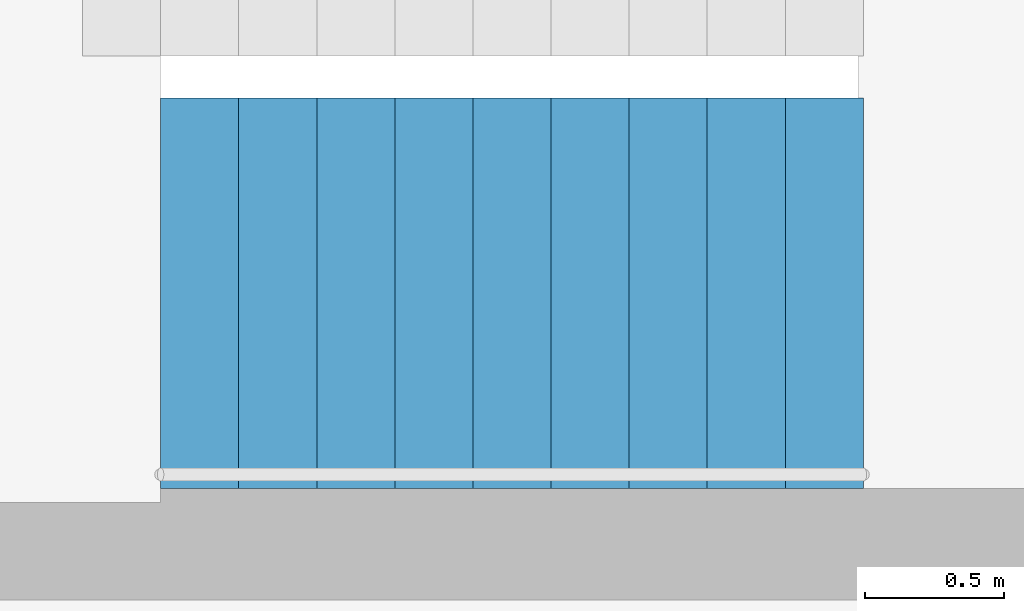
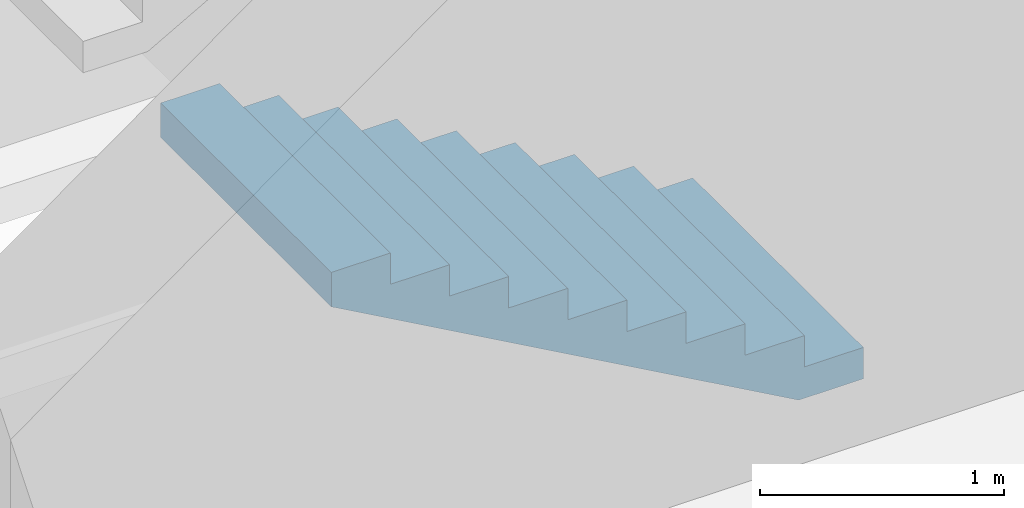
# One storey, part 10 of 11: 1 stair flight, 1 element without a shape of its own.
"""IFC4 building model written with IfcOpenShell, lengths in metres."""

from ifc_helpers import new_model, si_unit, direction, frame, origin, place, context, subcontext, project, spatial, polyline, outline, extrude, material, type_object, element, aggregate, save


model = new_model("IFC4")

# Units and contexts
model_context = context("Model", 3, precision=1e-05, world=origin(), true_north=direction((0.0, 1.0)))
body_context = subcontext(model_context, "Body", "Model", "MODEL_VIEW")
ifc_project = project(units=[si_unit("LENGTHUNIT", "METRE"), si_unit("AREAUNIT", "SQUARE_METRE"), si_unit("VOLUMEUNIT", "CUBIC_METRE"), si_unit("PLANEANGLEUNIT", "RADIAN"), si_unit("MASSUNIT", "GRAM", prefix="KILO")], contexts=[model_context])

# Site, building, storey
site_placement = place(None, origin())
site = spatial("IfcSite", under=ifc_project, at=site_placement, CompositionType="ELEMENT")
building_placement = place(site_placement, origin())
building = spatial("IfcBuilding", under=site, at=building_placement, Name="Hankou Lantern Tower", CompositionType="ELEMENT")
storey_placement = place(building_placement, frame((0.0, 0.0, 229.199951171875)))
storey = spatial("IfcBuildingStorey", under=building, at=storey_placement, Name="L62", CompositionType="ELEMENT", Elevation=229.199951171875)

# Stair, stair flight
ifc_material_1 = material(Name="Concrete C40", Category="concrete")
stair_type = type_object("IfcStairType", Name="ST33 CORE STAIR 3300 RISE", PredefinedType="HALF_TURN_STAIR", material=ifc_material_1)
stair_placement = place(storey_placement, origin())
stair = element("IfcStair", 1, at=stair_placement, inside=storey, type_object=stair_type, Name="Stair STA L62", PredefinedType="HALF_TURN_STAIR")
ifc_material_2 = material(Name="Concrete C40", Category="concrete")
stair_flight_type = type_object("IfcStairFlightType", Name="CF10 CORE STAIR FLIGHT 1400 X 10 RISERS", PredefinedType="STRAIGHT", material=ifc_material_2)
stair_flight_placement = place(storey_placement, frame((-4.429931640625, 5.199951171875, 0.0), z_axis=(0.0, 0.0, 1.0), x_axis=(-1.0, 0.0, 0.0)))
stair_flight = element("IfcStairFlight", 2, at=stair_flight_placement, type_object=stair_flight_type, Name="STA flight 1", NumberOfRisers=10, NumberOfTreads=9, PredefinedType="STRAIGHT", RiserHeight=0.157142857, TreadLength=0.28, context=body_context, shape_type="SweptSolid", body=[
    extrude(outline(polyline([(0.0, 0.0), (0.0, 0.1572265625), (0.280029296875, 0.1572265625), (0.280029296875, 0.314208984375), (0.56005859375, 0.314208984375), (0.56005859375, 0.471435546875), (0.840087890625, 0.471435546875), (0.840087890625, 0.628662109375), (1.1201171875, 0.628662109375), (1.1201171875, 0.78564453125), (1.39990234375, 0.78564453125), (1.39990234375, 0.94287109375), (1.679931640625, 0.94287109375), (1.679931640625, 1.10009765625), (1.9599609375, 1.10009765625), (1.9599609375, 1.257080078125), (2.239990234375, 1.257080078125), (2.239990234375, 1.414306640625), (2.52001953125, 1.414306640625), (2.52001953125, 1.571533203125), (2.52001953125, 1.242431640625), (0.306396484375, 0.0), (0.0, 0.0)])), frame((0.0, 0.699951171875, 0.0), z_axis=(0.0, -1.0, 0.0), x_axis=(1.0, 0.0, 0.0)), (0.0, 0.0, 1.0), 1.39990234375),
])
aggregate(stair, [stair_flight])

save(model, "model.ifc")
